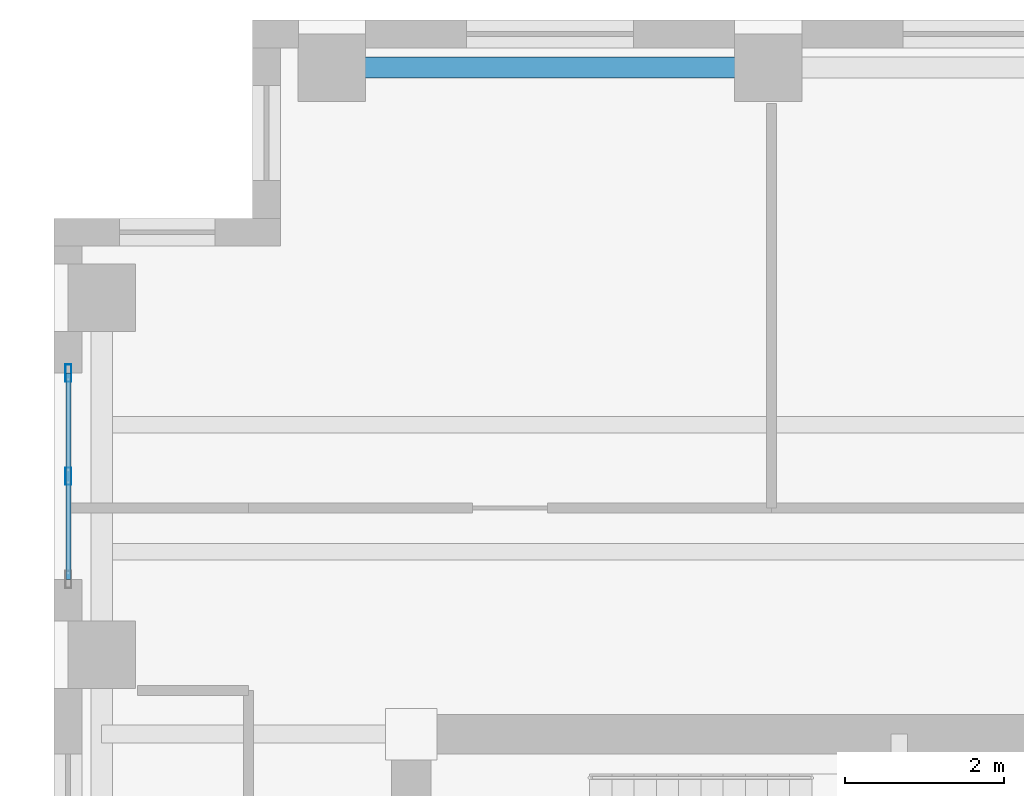
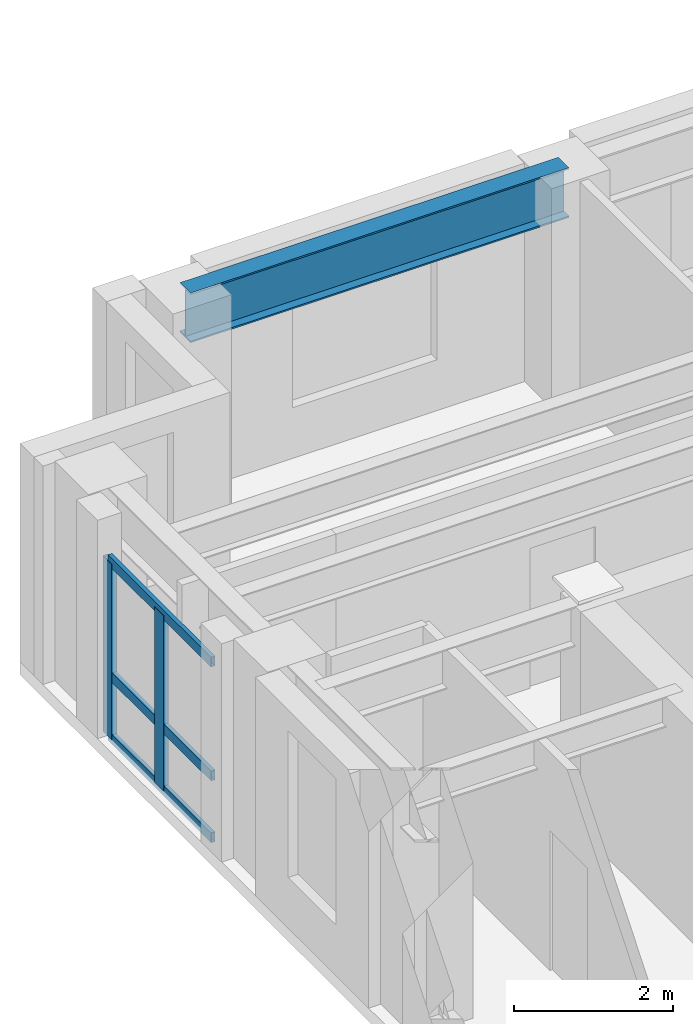
# One storey, part 4 of 10: 5 members, 1 beam, 1 element without a shape of its own.
"""IFC4 building model written with IfcOpenShell, lengths in metres."""

from ifc_helpers import new_model, si_unit, direction, frame, origin, origin_2d, place, context, subcontext, project, spatial, hollow_rectangle, i_section, extrude, source, transform, mapped, material, layer, layer_set, material_profile, profile_set, type_object, element, aggregate, save


model = new_model("IFC4")

# Units and contexts
model_context = context("Model", 3, precision=1e-05, world=origin(), true_north=direction((0.0, 1.0)))
body_context = subcontext(model_context, "Body", "Model", "MODEL_VIEW")
ifc_project = project(units=[si_unit("LENGTHUNIT", "METRE"), si_unit("AREAUNIT", "SQUARE_METRE"), si_unit("VOLUMEUNIT", "CUBIC_METRE"), si_unit("PLANEANGLEUNIT", "RADIAN"), si_unit("MASSUNIT", "GRAM", prefix="KILO")], contexts=[model_context])

# Site, building, storey
site_placement = place(None, origin())
site = spatial("IfcSite", under=ifc_project, at=site_placement, CompositionType="ELEMENT")
building_placement = place(site_placement, origin())
building = spatial("IfcBuilding", under=site, at=building_placement, Name="Kharzan Plaza Tower", CompositionType="ELEMENT")
storey_placement = place(building_placement, frame((0.0, 0.0, 273.60009765625)))
storey = spatial("IfcBuildingStorey", under=building, at=storey_placement, Name="L74", CompositionType="ELEMENT", Elevation=273.60009765625)

# Curtain wall, members
ifc_material_1 = material(Name="Unitised Bronze-Anodized Aluminium and Low-E Glass", Category="aluminium")
ifc_layer = layer(ifc_material_1, 0.199951171875)
ifc_layer_set = layer_set([ifc_layer], Name="Unitised Bronze-Anodized Aluminium and Low-E Glass")
curtain_wall_type = type_object("IfcCurtainWallType", Name="CW-EXEC-5", PredefinedType="NOTDEFINED", material=ifc_layer_set)
curtain_wall_placement = place(storey_placement, origin())
curtain_wall = element("IfcCurtainWall", 1, at=curtain_wall_placement, inside=storey, type_object=curtain_wall_type, Name="L74 Upper Executive Setback Panoramic Curtain Wall", PredefinedType="NOTDEFINED")
ifc_material_2 = material(Name="Anodized Bronze Aluminium", Category="aluminium")
ifc_material_profile_1 = material_profile(ifc_material_2, hollow_rectangle(XDim=0.074951171875, YDim=0.219970703125, WallThickness=0.00390625, at=origin_2d()), Name="ALU-M220x75x4")
ifc_profile_set_1 = profile_set([ifc_material_profile_1], Name="Anodized Bronze Aluminium")
member_type_1 = type_object("IfcMemberType", Name="MEM-CW-MUL200", PredefinedType="MULLION", material=ifc_profile_set_1)
shared_shape_1 = source(origin(), body_context, "Body", "SweptSolid", [
    extrude(hollow_rectangle(XDim=0.074951171875, YDim=0.219970703125, WallThickness=0.00390625, at=origin_2d()), origin(), (0.0, 0.0, 1.0), 2.699951171875),
])
member_1_placement = place(storey_placement, frame((0.179931640625, 32.75, 0.0), z_axis=(0.0, 0.0, 1.0), x_axis=(1.0, 0.0, 0.0)))
member_1 = element("IfcMember", 2, at=member_1_placement, type_object=member_type_1, Name="L74 Curtain-Wall Mullion 01", PredefinedType="MULLION", context=body_context, shape_type="MappedRepresentation", body=[
    mapped(shared_shape_1, transform((0.0, 0.0, 0.0), x_axis=(1.0, 0.0, 0.0), y_axis=(0.0, 1.0, 0.0), z_axis=(0.0, 0.0, 1.0))),
])
member_2_placement = place(storey_placement, frame((0.179931640625, 34.050048828125, 0.0), z_axis=(0.0, 0.0, 1.0), x_axis=(1.0, 0.0, 0.0)))
member_2 = element("IfcMember", 3, at=member_2_placement, type_object=member_type_1, Name="L74 Curtain-Wall Mullion 02", PredefinedType="MULLION", context=body_context, shape_type="MappedRepresentation", body=[
    mapped(shared_shape_1, transform((0.0, 0.0, 0.0), x_axis=(1.0, 0.0, 0.0), y_axis=(0.0, 1.0, 0.0), z_axis=(0.0, 0.0, 1.0))),
])

# Beam
ifc_material_3 = material(Name="Steel S355", Category="steel")
ifc_material_profile_2 = material_profile(ifc_material_3, i_section(OverallWidth=0.26708984375, OverallDepth=0.76611328125, WebThickness=0.014892578125, FlangeThickness=0.023681640625, at=origin_2d()), Name="W760x185")
ifc_profile_set_2 = profile_set([ifc_material_profile_2], Name="Steel S355")
beam_type = type_object("IfcBeamType", Name="BM-SP760B", PredefinedType="SPANDREL", material=ifc_profile_set_2)
shared_shape_2 = source(origin(), body_context, "Body", "SweptSolid", [
    extrude(i_section(OverallWidth=0.26708984375, OverallDepth=0.76611328125, WebThickness=0.014892578125, FlangeThickness=0.023681640625, at=origin_2d()), origin(), (0.0, 0.0, 1.0), 5.5),
])
beam_placement = place(storey_placement, frame((3.5, 37.89990234375, 2.98681640625), z_axis=(1.0, 0.0, 0.0), x_axis=(0.0, 1.0, 0.0)))
element("IfcBeam", 4, at=beam_placement, inside=storey, type_object=beam_type, Name="L74 Perimeter Tube Spandrel", PredefinedType="SPANDREL", context=body_context, shape_type="MappedRepresentation", body=[
    mapped(shared_shape_2, transform((0.0, 0.0, 0.0), x_axis=(1.0, 0.0, 0.0), y_axis=(0.0, 1.0, 0.0), z_axis=(0.0, 0.0, 1.0))),
])

# Member
ifc_material_profile_3 = material_profile(ifc_material_2, hollow_rectangle(XDim=0.06005859375, YDim=0.14990234375, WallThickness=0.00341796875, at=origin_2d()), Name="ALU-T150x60x3.5")
ifc_profile_set_3 = profile_set([ifc_material_profile_3], Name="Anodized Bronze Aluminium")
member_type_2 = type_object("IfcMemberType", Name="MEM-CW-TRN150", PredefinedType="USERDEFINED", material=ifc_profile_set_3)
shared_shape_3 = source(origin(), body_context, "Body", "SweptSolid", [
    extrude(hollow_rectangle(XDim=0.06005859375, YDim=0.14990234375, WallThickness=0.00341796875, at=origin_2d()), origin(), (0.0, 0.0, 1.0), 2.60009765625),
])
member_3_placement = place(storey_placement, frame((0.179931640625, 31.449951171875, 0.0), z_axis=(0.0, 1.0, 0.0), x_axis=(-1.0, 0.0, 0.0)))
member_3 = element("IfcMember", 5, at=member_3_placement, type_object=member_type_2, Name="L74 Curtain-Wall Transom 1", ObjectType="TRANSOM", PredefinedType="USERDEFINED", context=body_context, shape_type="MappedRepresentation", body=[
    mapped(shared_shape_3, transform((0.0, 0.0, 0.0), x_axis=(1.0, 0.0, 0.0), y_axis=(0.0, 1.0, 0.0), z_axis=(0.0, 0.0, 1.0))),
])

member_4_placement = place(storey_placement, frame((0.179931640625, 31.449951171875, 0.949951171875), z_axis=(0.0, 1.0, 0.0), x_axis=(-1.0, 0.0, 0.0)))
member_4 = element("IfcMember", 6, at=member_4_placement, type_object=member_type_2, Name="L74 Curtain-Wall Transom 2", ObjectType="TRANSOM", PredefinedType="USERDEFINED", context=body_context, shape_type="MappedRepresentation", body=[
    mapped(shared_shape_3, transform((0.0, 0.0, 0.0), x_axis=(1.0, 0.0, 0.0), y_axis=(0.0, 1.0, 0.0), z_axis=(0.0, 0.0, 1.0))),
])

member_5_placement = place(storey_placement, frame((0.179931640625, 31.449951171875, 2.699951171875), z_axis=(0.0, 1.0, 0.0), x_axis=(-1.0, 0.0, 0.0)))
member_5 = element("IfcMember", 7, at=member_5_placement, type_object=member_type_2, Name="L74 Curtain-Wall Transom 3", ObjectType="TRANSOM", PredefinedType="USERDEFINED", context=body_context, shape_type="MappedRepresentation", body=[
    mapped(shared_shape_3, transform((0.0, 0.0, 0.0), x_axis=(1.0, 0.0, 0.0), y_axis=(0.0, 1.0, 0.0), z_axis=(0.0, 0.0, 1.0))),
])

aggregate(curtain_wall, [member_1, member_2, member_3, member_4, member_5])

save(model, "model.ifc")
